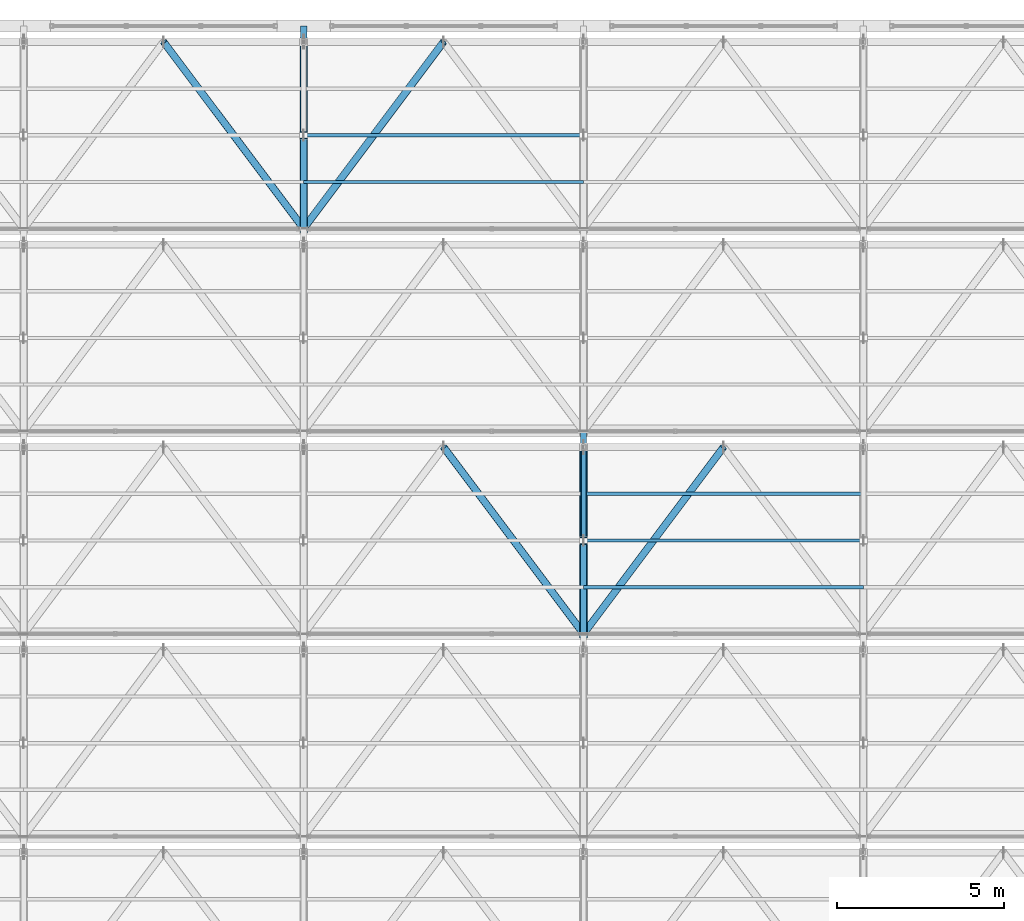
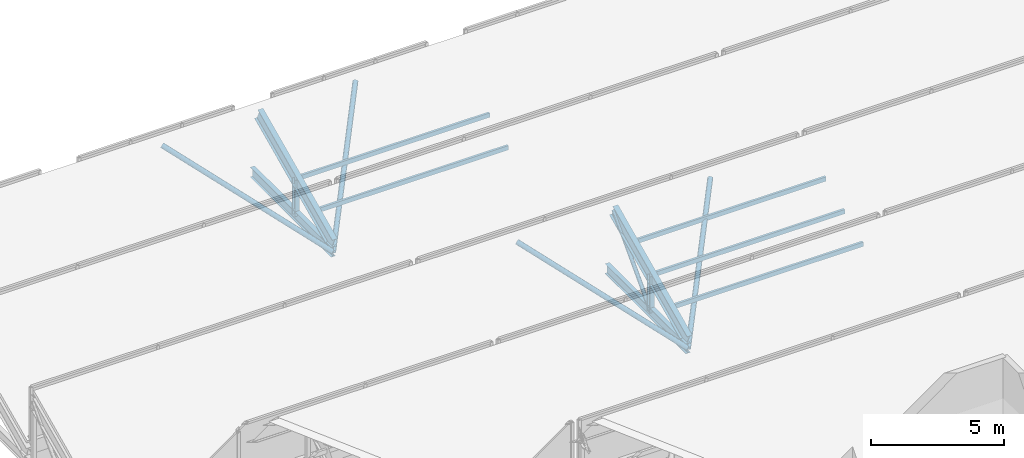
# One storey, part 107 of 217: 16 members.
"""IFC4 building model written with IfcOpenShell, lengths in metres."""

import ifcopenshell
import ifcopenshell.guid

model = None  # the IFC model being written
_history = None  # IfcOwnerHistory: only IFC2X3 demands one
_inside = {}  # id of a spatial element -> (the spatial element, [elements in it])
_under = {}  # id of a project, library or spatial element -> (it, [spatial elements below it])
_declared = {}  # id of a project -> (the project, [libraries it declares])
_typed = {}  # id of a type object -> (the type object, [elements of that type])
_made_of = {}  # id of a material, layer set ... -> (it, [elements and type objects made of it])


def new_model(schema):
    """Start an empty IFC model of exactly this schema.

    Asked for "IFC4X3", IfcOpenShell would pick the latest addendum, in which some entities
    have other attributes; the version numbers below select the first issue.
    IFC2X3 requires an IfcOwnerHistory on every rooted entity: one is made here for all.
    """
    global model, _history
    if schema == "IFC4X3":
        model = ifcopenshell.file(schema_version=(4, 3, 0, 0))
    else:
        model = ifcopenshell.file(schema=schema)
    _inside.clear()
    _under.clear()
    _declared.clear()
    _typed.clear()
    _made_of.clear()
    _history = None
    if model.schema == "IFC2X3":
        org = make("IfcOrganization", Name="unknown")
        user = make(
            "IfcPersonAndOrganization",
            ThePerson=make("IfcPerson", FamilyName="unknown"),
            TheOrganization=org,
        )
        app = make(
            "IfcApplication",
            ApplicationDeveloper=org,
            Version="unknown",
            ApplicationFullName="unknown",
            ApplicationIdentifier="unknown",
        )
        _history = make(
            "IfcOwnerHistory",
            OwningUser=user,
            OwningApplication=app,
            ChangeAction="ADDED",
            CreationDate=0,
        )
    return model


def make(cls, **values):
    """One entity of the class cls with the attributes given. An attribute that is None is left unset."""
    return model.create_entity(
        cls, **{name: value for name, value in values.items() if value is not None}
    )


def rooted(cls, **values):
    """An entity with a GlobalId (a new one), such as an element, a storey or a relation."""
    return make(cls, GlobalId=ifcopenshell.guid.new(), OwnerHistory=_history, **values)


def si_unit(unit_type, name, prefix=None):
    """IfcSIUnit, for example si_unit("LENGTHUNIT", "METRE", prefix="MILLI")."""
    return make("IfcSIUnit", UnitType=unit_type, Prefix=prefix, Name=name)


def assignment(units):
    """IfcUnitAssignment: the units of a project."""
    return None if units is None else make("IfcUnitAssignment", Units=units)


def point(xyz):
    """IfcCartesianPoint."""
    return None if xyz is None else make("IfcCartesianPoint", Coordinates=xyz)


def direction(xyz):
    """IfcDirection."""
    return None if xyz is None else make("IfcDirection", DirectionRatios=xyz)


def frame(location, z_axis=None, x_axis=None):
    """IfcAxis2Placement3D, a coordinate frame: its origin and axes. An axis left out is left unset."""
    return make(
        "IfcAxis2Placement3D",
        Location=point(location),
        Axis=direction(z_axis),
        RefDirection=direction(x_axis),
    )


def frame_2d(location, x_axis=None):
    """IfcAxis2Placement2D, a coordinate frame in the plane: its origin and x axis."""
    return make(
        "IfcAxis2Placement2D", Location=point(location), RefDirection=direction(x_axis)
    )


def origin():
    """The frame at (0, 0, 0) with its axes left unset."""
    return frame((0.0, 0.0, 0.0))


def origin_2d():
    """The frame at (0, 0) in the plane with its x axis left unset."""
    return frame_2d((0.0, 0.0))


def place(relative_to, where):
    """IfcLocalPlacement: puts the frame where relative to a parent placement (None: the world)."""
    return make(
        "IfcLocalPlacement", PlacementRelTo=relative_to, RelativePlacement=where
    )


def context(
    kind, dimensions, precision=None, world=None, true_north=None, identifier=None
):
    """IfcGeometricRepresentationContext, for example the 3D "Model" context."""
    return make(
        "IfcGeometricRepresentationContext",
        ContextIdentifier=identifier,
        ContextType=kind,
        CoordinateSpaceDimension=dimensions,
        Precision=precision,
        WorldCoordinateSystem=world,
        TrueNorth=true_north,
    )


def subcontext(parent, identifier, kind, view, scale=None):
    """IfcGeometricRepresentationSubContext, for example "Body" below "Model"."""
    return make(
        "IfcGeometricRepresentationSubContext",
        ContextIdentifier=identifier,
        ContextType=kind,
        ParentContext=parent,
        TargetScale=scale,
        TargetView=view,
    )


def project(units=None, contexts=None):
    """IfcProject with its units and contexts."""
    return rooted(
        "IfcProject",
        Name="project",
        RepresentationContexts=contexts,
        UnitsInContext=assignment(units),
    )


def spatial(cls, under=None, at=None, **own):
    """A site, building, storey or space (cls), placed at a placement, below another one or the project."""
    s = rooted(cls, ObjectPlacement=at, **own)
    if under is not None:
        _under.setdefault(under.id(), (under, []))[1].append(s)
    return s


def profile(cls, at=None, kind="AREA", **sizes):
    """A parametric profile (cls). Its sizes go by their IFC names, for example OverallWidth=200.0."""
    return make(cls, ProfileType=kind, Position=at, **sizes)


def hollow_rectangle(**sizes):
    """IfcRectangleHollowProfileDef."""
    return profile("IfcRectangleHollowProfileDef", **sizes)


def hollow_circle(**sizes):
    """IfcCircleHollowProfileDef."""
    return profile("IfcCircleHollowProfileDef", **sizes)


def i_section(**sizes):
    """IfcIShapeProfileDef."""
    return profile("IfcIShapeProfileDef", **sizes)


def extrude(swept, where, along, depth):
    """IfcExtrudedAreaSolid: the profile swept, set in the frame where, extruded along a direction by depth."""
    return make(
        "IfcExtrudedAreaSolid",
        SweptArea=swept,
        Position=where,
        ExtrudedDirection=direction(along),
        Depth=depth,
    )


def shape(context_of_items, identifier, shape_type, items):
    """IfcShapeRepresentation: the items that make up one representation, for example the "Body"."""
    return make(
        "IfcShapeRepresentation",
        ContextOfItems=context_of_items,
        RepresentationIdentifier=identifier,
        RepresentationType=shape_type,
        Items=items,
    )


def material(Name=None, Category=None):
    """IfcMaterial."""
    return make("IfcMaterial", Name=Name, Category=Category)


def material_profile(
    of_material, cross_section, Name=None, Category=None, Priority=None
):
    """IfcMaterialProfile: a cross section and its material."""
    return make(
        "IfcMaterialProfile",
        Name=Name,
        Material=of_material,
        Profile=cross_section,
        Priority=Priority,
        Category=Category,
    )


def profile_set(profiles, Name=None, composite=None):
    """IfcMaterialProfileSet."""
    return make(
        "IfcMaterialProfileSet",
        Name=Name,
        MaterialProfiles=profiles,
        CompositeProfile=composite,
    )


def made_of(thing, what):
    """Note that an element or type object is made of a material, layer set ...; save() writes the relation."""
    if what is not None:
        _made_of.setdefault(what.id(), (what, []))[1].append(thing)
    return thing


def type_object(cls, material=None, **own):
    """A type object (cls), such as IfcWallType, which elements share."""
    return made_of(rooted(cls, **own), material)


def element(
    cls,
    number,
    at=None,
    inside=None,
    cuts=None,
    type_object=None,
    material=None,
    context=None,
    identifier="Body",
    shape_type=None,
    held_by="IfcProductDefinitionShape",
    body=None,
    shapes=None,
    **own,
):
    """One element of the class cls, such as IfcWall. Its Tag is "e" and its number.

    at: its placement. inside: the storey or other place that contains it. cuts: it is an
    opening in that element (IfcRelVoidsElement). A single representation is given by context,
    identifier, shape_type and body (its items); several are given by shapes. held_by: the class
    of the entity that holds the representations. save() writes the other relations.
    """
    e = rooted(cls, Tag="e%d" % number, ObjectPlacement=at, **own)
    if body is not None:
        shapes = [shape(context, identifier, shape_type, body)]
    if shapes is not None:
        e.Representation = make(held_by, Representations=shapes)
    if inside is not None:
        _inside.setdefault(inside.id(), (inside, []))[1].append(e)
    if cuts is not None:
        rooted(
            "IfcRelVoidsElement", RelatingBuildingElement=cuts, RelatedOpeningElement=e
        )
    if type_object is not None:
        _typed.setdefault(type_object.id(), (type_object, []))[1].append(e)
    return made_of(e, material)


def aggregate(whole, parts):
    """IfcRelAggregates: a whole, such as a stair, and the parts it consists of."""
    return rooted("IfcRelAggregates", RelatingObject=whole, RelatedObjects=parts)


def save(model, path):
    """Write the relations noted so far, then the file.

    IfcRelAggregates (storeys below a building ...), IfcRelContainedInSpatialStructure (elements
    in a storey), IfcRelDefinesByType, IfcRelAssociatesMaterial and IfcRelDeclares: one each for
    every whole, place, type object, material and project.
    """
    for whole, parts in _under.values():
        aggregate(whole, parts)
    for where, things in _inside.values():
        rooted(
            "IfcRelContainedInSpatialStructure",
            RelatedElements=things,
            RelatingStructure=where,
        )
    for kind, things in _typed.values():
        rooted("IfcRelDefinesByType", RelatedObjects=things, RelatingType=kind)
    for what, things in _made_of.values():
        rooted("IfcRelAssociatesMaterial", RelatedObjects=things, RelatingMaterial=what)
    for by, libraries in _declared.values():
        rooted("IfcRelDeclares", RelatingContext=by, RelatedDefinitions=libraries)
    model.write(path)


model = new_model("IFC4")

# Units and contexts
model_context = context("Model", 3, precision=1e-05, world=origin(), true_north=direction((0.0, 1.0)))
body_context = subcontext(model_context, "Body", "Model", "MODEL_VIEW")
ifc_project = project(units=[si_unit("LENGTHUNIT", "METRE"), si_unit("AREAUNIT", "SQUARE_METRE"), si_unit("VOLUMEUNIT", "CUBIC_METRE"), si_unit("PLANEANGLEUNIT", "RADIAN"), si_unit("MASSUNIT", "GRAM", prefix="KILO")], contexts=[model_context])

# Site, building, storey
site_placement = place(None, origin())
site = spatial("IfcSite", under=ifc_project, at=site_placement, CompositionType="ELEMENT")
building_placement = place(site_placement, origin())
building = spatial("IfcBuilding", under=site, at=building_placement, Name="Zuvorla Pavilion Media Centre", CompositionType="ELEMENT")
storey_placement = place(building_placement, frame((0.0, 0.0, 9.60009765625)))
storey = spatial("IfcBuildingStorey", under=building, at=storey_placement, Name="L02", CompositionType="ELEMENT", Elevation=9.60009765625)

# Members
ifc_material = material(Name="Steel S355", Category="steel")
ifc_material_profile_1 = material_profile(ifc_material, hollow_circle(Radius=0.084228515625, WallThickness=0.008056640625, at=origin_2d()), Name="CHS 168.3x8")
ifc_profile_set_1 = profile_set([ifc_material_profile_1], Name="Steel S355")
member_type_1 = type_object("IfcMemberType", Name="MEM-BRC-CHS168", PredefinedType="BRACE", material=ifc_profile_set_1)
member_1_placement = place(storey_placement, frame((92.0, 104.56005859375, -0.880126953125), z_axis=(0.0, 0.68676242614, 0.726881950555), x_axis=(-1.0, 0.0, 0.0)))
element("IfcMember", 1, at=member_1_placement, inside=storey, type_object=member_type_1, Name="L02 diagonal brace TB03 237", PredefinedType="BRACE", context=body_context, shape_type="SweptSolid", body=[
    extrude(hollow_circle(Radius=0.084228515625, WallThickness=0.008056640625, at=origin_2d()), origin(), (0.0, 0.0, 1.0), 4.0771484375),
])
ifc_material_profile_2 = material_profile(ifc_material, hollow_circle(Radius=0.109619140625, WallThickness=0.010009765625, at=origin_2d()), Name="CHS 219.1x10")
ifc_profile_set_2 = profile_set([ifc_material_profile_2], Name="Steel S355")
member_type_2 = type_object("IfcMemberType", Name="MEM-BRC-CHS219", PredefinedType="BRACE", material=ifc_profile_set_2)
for number, where, z_axis, x_axis, name in (
    (2, (87.800048828125, 107.360107421875, 2.08349609375), (0.552511596944, -0.736703540702, -0.389870271191), (0.800008370399, 0.599988839305, 0.0), "L02 diagonal brace TB02 278"),
    (3, (92.0, 101.760009765625, -0.880126953125), (0.552511596944, 0.736703540702, 0.389870271191), (-0.800008370399, 0.599988839305, 0.0), "L02 diagonal brace TB02 283"),
):
    element("IfcMember", number, at=place(storey_placement, frame(where, z_axis=z_axis, x_axis=x_axis)), inside=storey, type_object=member_type_2, Name=name, PredefinedType="BRACE", context=body_context, shape_type="SweptSolid", body=[
        extrude(hollow_circle(Radius=0.109619140625, WallThickness=0.010009765625, at=origin_2d()), origin(), (0.0, 0.0, 1.0), 7.6015625),
    ])
member_2_placement = place(storey_placement, frame((79.39990234375, 119.52001953125, 2.08349609375), z_axis=(0.552533909139, -0.736690467788, -0.389863352885), x_axis=(0.79999162962, 0.600011160345, 0.0)))
element("IfcMember", 4, at=member_2_placement, inside=storey, type_object=member_type_2, Name="L02 diagonal brace TB02 458", PredefinedType="BRACE", context=body_context, shape_type="SweptSolid", body=[
    extrude(hollow_circle(Radius=0.109619140625, WallThickness=0.010009765625, at=origin_2d()), origin(), (0.0, 0.0, 1.0), 7.601806640625),
])
member_3_placement = place(storey_placement, frame((83.60009765625, 113.919921875, -0.880126953125), z_axis=(0.552511596944, 0.736703540702, 0.389870271191), x_axis=(-0.800008370399, 0.599988839305, 0.0)))
element("IfcMember", 5, at=member_3_placement, inside=storey, type_object=member_type_2, Name="L02 diagonal brace TB02 463", PredefinedType="BRACE", context=body_context, shape_type="SweptSolid", body=[
    extrude(hollow_circle(Radius=0.109619140625, WallThickness=0.010009765625, at=origin_2d()), origin(), (0.0, 0.0, 1.0), 7.6015625),
])
ifc_material_profile_3 = material_profile(ifc_material, i_section(OverallWidth=0.19140625, OverallDepth=0.4599609375, WebThickness=0.010009765625, FlangeThickness=0.01611328125, FilletRadius=0.01025390625, at=origin_2d()), Name="UB 457x191x82")
ifc_profile_set_3 = profile_set([ifc_material_profile_3], Name="Steel S355")
member_type_3 = type_object("IfcMemberType", Name="MEM-CHD-UB457", PredefinedType="CHORD", material=ifc_profile_set_3)
for number, where, z_axis, x_axis, name in (
    (6, (92.0, 101.760009765625, -0.880126953125), (0.0, 1.0, 0.0), (-1.0, 0.0, 0.0), "L02 chord TC03 234"),
    (7, (83.60009765625, 113.919921875, -0.880126953125), (0.0, 1.0, 0.0), (-1.0, 0.0, 0.0), "L02 chord TC03 415"),
):
    element("IfcMember", number, at=place(storey_placement, frame(where, z_axis=z_axis, x_axis=x_axis)), inside=storey, type_object=member_type_3, Name=name, PredefinedType="CHORD", context=body_context, shape_type="SweptSolid", body=[
        extrude(i_section(OverallWidth=0.19140625, OverallDepth=0.4599609375, WebThickness=0.010009765625, FlangeThickness=0.01611328125, FilletRadius=0.01025390625, at=origin_2d()), origin(), (0.0, 0.0, 1.0), 6.080078125),
    ])
ifc_material_profile_4 = material_profile(ifc_material, i_section(OverallWidth=0.22900390625, OverallDepth=0.6123046875, WebThickness=0.011962890625, FlangeThickness=0.01953125, FilletRadius=0.0126953125, at=origin_2d()), Name="UB 610x229x125")
ifc_profile_set_4 = profile_set([ifc_material_profile_4], Name="Steel S355")
member_type_4 = type_object("IfcMemberType", Name="MEM-CHD-UB610", PredefinedType="CHORD", material=ifc_profile_set_4)
for number, where, z_axis, x_axis, name in (
    (8, (92.0, 101.760009765625, -0.5166015625), (0.0, 0.907005731366, 0.421118277053), (-1.0, 0.0, 0.0), "L02 chord TC01 235"),
    (9, (83.60009765625, 113.919921875, -0.5166015625), (0.0, 0.907005731366, 0.421118277053), (-1.0, 0.0, 0.0), "L02 chord TC01 416"),
):
    element("IfcMember", number, at=place(storey_placement, frame(where, z_axis=z_axis, x_axis=x_axis)), inside=storey, type_object=member_type_4, Name=name, PredefinedType="CHORD", context=body_context, shape_type="SweptSolid", body=[
        extrude(i_section(OverallWidth=0.22900390625, OverallDepth=0.6123046875, WebThickness=0.011962890625, FlangeThickness=0.01953125, FilletRadius=0.0126953125, at=origin_2d()), origin(), (0.0, 0.0, 1.0), 6.17431640625),
    ])
ifc_material_profile_5 = material_profile(ifc_material, hollow_rectangle(XDim=0.10009765625, YDim=0.199951171875, WallThickness=0.008056640625, at=origin_2d()), Name="RHS 200x100x8")
ifc_profile_set_5 = profile_set([ifc_material_profile_5], Name="Steel S355")
member_type_5 = type_object("IfcMemberType", Name="MEM-PUR-RHS200", PredefinedType="PURLIN", material=ifc_profile_set_5)
for number, where, z_axis, x_axis, name in (
    (10, (92.0, 103.159912109375, 0.133544921875), (1.0, 0.0, 0.0), (0.0, 1.0, 0.0), "L02 purlin PR01 285"),
    (11, (92.0, 104.56005859375, 0.783447265625), (1.0, 0.0, 0.0), (0.0, 1.0, 0.0), "L02 purlin PR01 286"),
    (12, (92.0, 105.9599609375, 1.43359375), (1.0, 0.0, 0.0), (0.0, 1.0, 0.0), "L02 purlin PR01 287"),
    (13, (83.60009765625, 115.320068359375, 0.133544921875), (1.0, 0.0, 0.0), (0.0, 1.0, 0.0), "L02 purlin PR01 465"),
    (14, (83.60009765625, 116.719970703125, 0.783447265625), (1.0, 0.0, 0.0), (0.0, 1.0, 0.0), "L02 purlin PR01 466"),
):
    element("IfcMember", number, at=place(storey_placement, frame(where, z_axis=z_axis, x_axis=x_axis)), inside=storey, type_object=member_type_5, Name=name, PredefinedType="PURLIN", context=body_context, shape_type="SweptSolid", body=[
        extrude(hollow_rectangle(XDim=0.10009765625, YDim=0.199951171875, WallThickness=0.008056640625, at=origin_2d()), origin(), (0.0, 0.0, 1.0), 8.39990234375),
    ])
ifc_material_profile_6 = material_profile(ifc_material, i_section(OverallWidth=0.205810546875, OverallDepth=0.209716796875, WebThickness=0.009521484375, FlangeThickness=0.01416015625, FilletRadius=0.01025390625, at=origin_2d()), Name="UC 203x203x60")
ifc_profile_set_6 = profile_set([ifc_material_profile_6], Name="Steel S355")
member_type_6 = type_object("IfcMemberType", Name="MEM-STR-UC203", PredefinedType="STRUT", material=ifc_profile_set_6)
for number, where, z_axis, x_axis, name in (
    (15, (92.0, 104.56005859375, -0.880126953125), (0.0, 0.0, 1.0), (1.0, 0.0, 0.0), "L02 vertical strut TS02 238"),
    (16, (83.60009765625, 116.719970703125, -0.880126953125), (0.0, 0.0, 1.0), (1.0, 0.0, 0.0), "L02 vertical strut TS02 419"),
):
    element("IfcMember", number, at=place(storey_placement, frame(where, z_axis=z_axis, x_axis=x_axis)), inside=storey, type_object=member_type_6, Name=name, PredefinedType="STRUT", context=body_context, shape_type="SweptSolid", body=[
        extrude(i_section(OverallWidth=0.205810546875, OverallDepth=0.209716796875, WebThickness=0.009521484375, FlangeThickness=0.01416015625, FilletRadius=0.01025390625, at=origin_2d()), origin(), (0.0, 0.0, 1.0), 1.66357421875),
    ])

save(model, "model.ifc")
